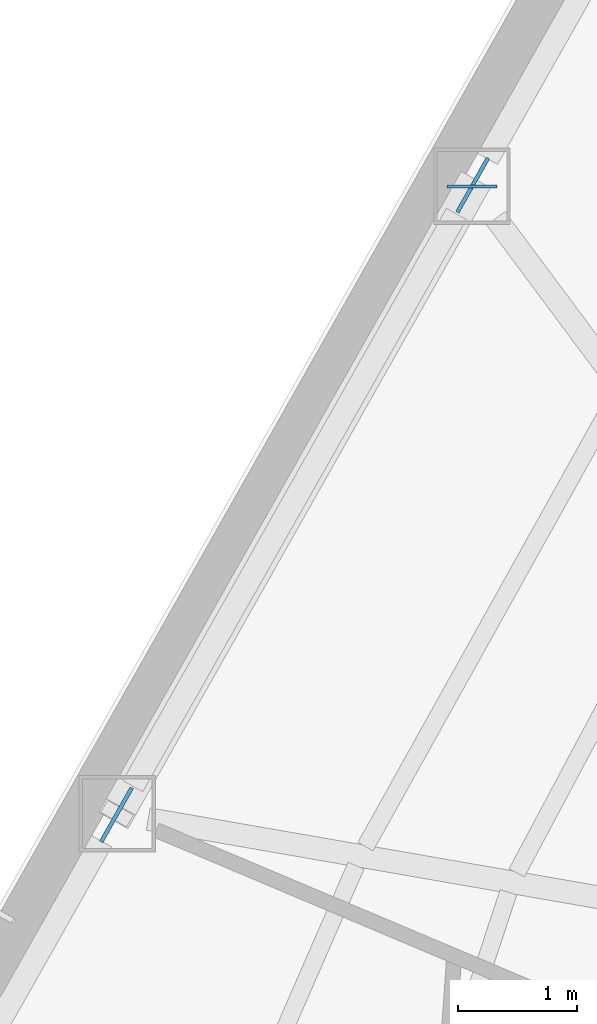
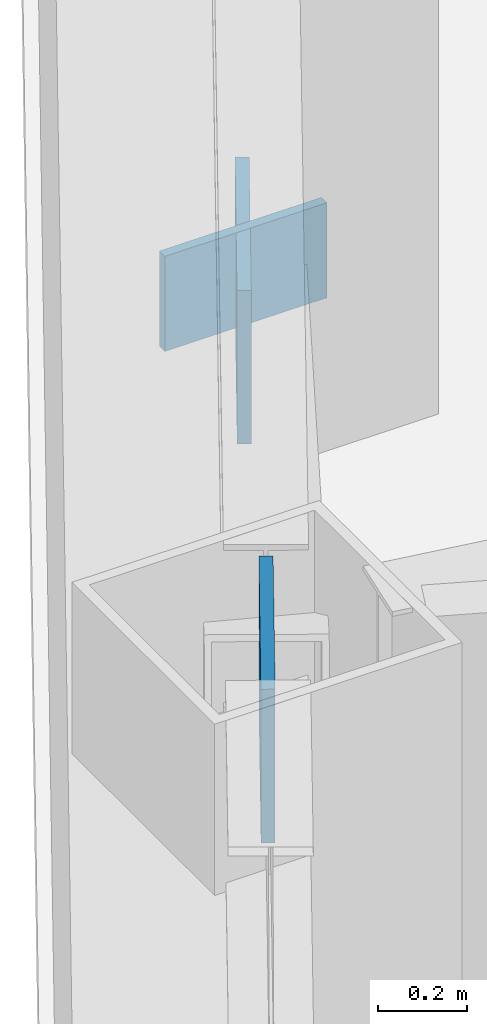
# One storey, part 5 of 13: 3 plates.
"""IFC4 building model written with IfcOpenShell, lengths in metres."""

from ifc_helpers import new_model, si_unit, direction, frame, origin, origin_2d, place, context, subcontext, project, spatial, rectangle, extrude, material, layer, layer_set, type_object, element, save


model = new_model("IFC4")

# Units and contexts
model_context = context("Model", 3, precision=1e-05, world=origin(), true_north=direction((0.0, 1.0)))
body_context = subcontext(model_context, "Body", "Model", "MODEL_VIEW")
ifc_project = project(units=[si_unit("LENGTHUNIT", "METRE"), si_unit("AREAUNIT", "SQUARE_METRE"), si_unit("VOLUMEUNIT", "CUBIC_METRE"), si_unit("PLANEANGLEUNIT", "RADIAN"), si_unit("MASSUNIT", "GRAM", prefix="KILO")], contexts=[model_context])

# Site, building, storey
site_placement = place(None, origin())
site = spatial("IfcSite", under=ifc_project, at=site_placement, CompositionType="ELEMENT")
building_placement = place(site_placement, origin())
building = spatial("IfcBuilding", under=site, at=building_placement, Name="Kavelnor Concourse Tower", CompositionType="ELEMENT")
storey_placement = place(building_placement, frame((0.0, 0.0, 168.85009765625)))
storey = spatial("IfcBuildingStorey", under=building, at=storey_placement, Name="L42", CompositionType="ELEMENT", Elevation=168.85009765625)

# Plates
ifc_material = material(Name="Steel Grade 350", Category="steel")
ifc_layer_1 = layer(ifc_material, 0.031982421875, Name="Steel Grade 350")
ifc_layer_set_1 = layer_set([ifc_layer_1], Name="Steel Grade 350")
plate_type_1 = type_object("IfcPlateType", Name="PL-GUSSET-TUBE-Z1", PredefinedType="USERDEFINED", material=ifc_layer_set_1)
for number, where, z_axis, x_axis, name in (
    (1, (24.4560546875, 28.334228515625, 0.010009765625), (0.0, 0.0, 1.0), (-0.492271646879, -0.870441626808, 0.0), "L42 Tube Brace Gusset GP3 F0-B3 End Gusset A"),
    (2, (21.47412109375, 23.0625, 3.159912109375), (0.0, 0.0, 1.0), (-0.492271646879, -0.870441626808, 0.0), "L42 Tube Brace Gusset GP3 F0-B3 End Gusset B"),
):
    element("IfcPlate", number, at=place(storey_placement, frame(where, z_axis=z_axis, x_axis=x_axis)), inside=storey, type_object=plate_type_1, Name=name, ObjectType="GUSSET_PLATE", PredefinedType="USERDEFINED", context=body_context, shape_type="SweptSolid", body=[
        extrude(rectangle(XDim=0.52001953125, YDim=0.031982421875, at=origin_2d()), origin(), (0.0, 0.0, 1.0), 0.419921875),
    ])
ifc_layer_2 = layer(ifc_material, 0.02490234375, Name="Steel Grade 350")
ifc_layer_set_2 = layer_set([ifc_layer_2], Name="Steel Grade 350")
plate_type_2 = type_object("IfcPlateType", Name="PL-SPLICE-FLANGE", PredefinedType="SHEET", material=ifc_layer_set_2)
plate_placement = place(storey_placement, frame((24.4501953125, 28.32373046875, 0.169921875), z_axis=(0.0, 0.0, 1.0), x_axis=(1.0, 0.0, 0.0)))
element("IfcPlate", 3, at=plate_placement, inside=storey, type_object=plate_type_2, Name="L42 Column Flange Splice Plate F0-B3", PredefinedType="SHEET", context=body_context, shape_type="SweptSolid", body=[
    extrude(rectangle(XDim=0.419921875, YDim=0.02490234375, at=origin_2d()), origin(), (0.0, 0.0, 1.0), 0.260009765625),
])

save(model, "model.ifc")
